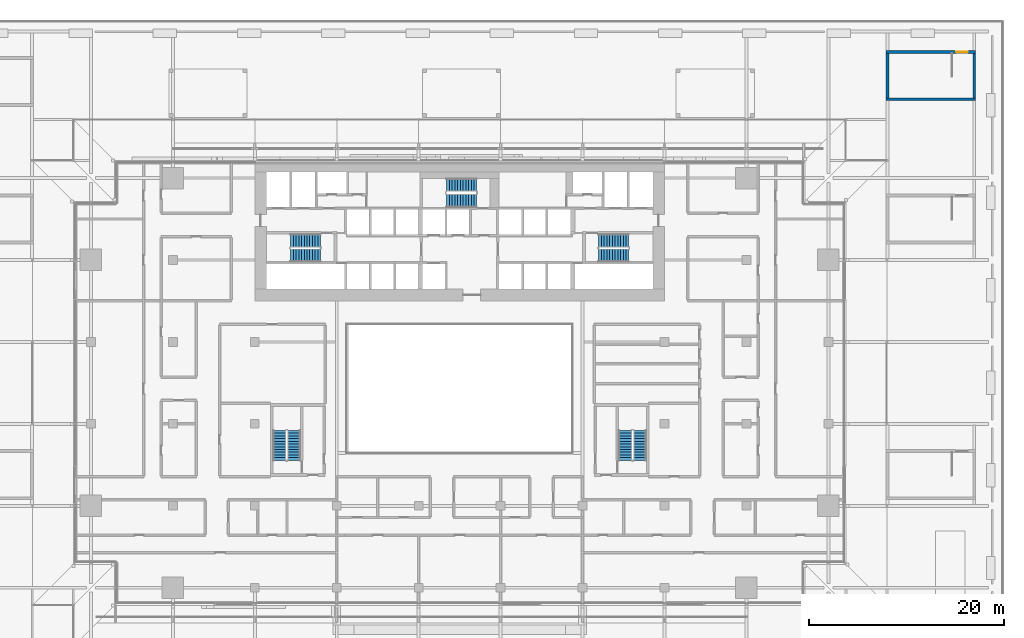
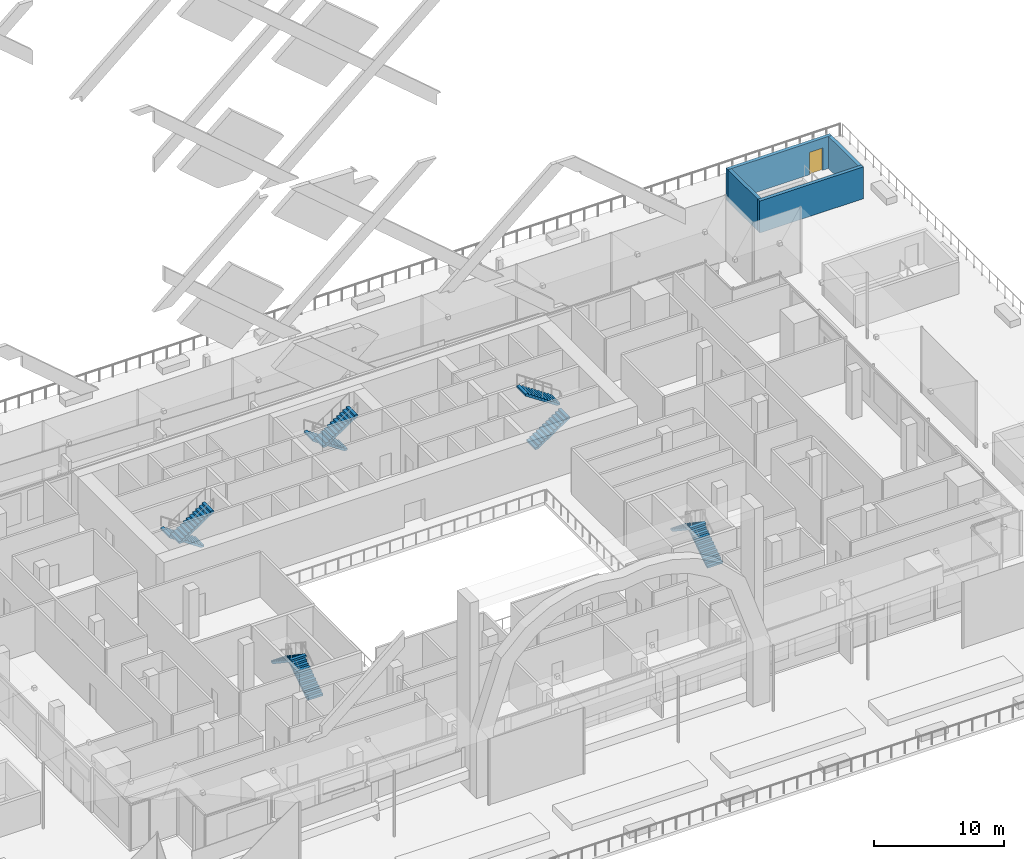
# One storey, part 31 of 60: 10 stair flights, 4 walls, 1 door, 1 opening, 5 elements without a shape of their own.
"""IFC4 building model written with IfcOpenShell, lengths in metres."""

from ifc_helpers import new_model, si_unit, direction, frame, frame_2d, origin, place, context, subcontext, project, spatial, polyline, rectangle, outline, extrude, material, layer, layer_set, type_object, element, fill, aggregate, save


model = new_model("IFC4")

# Units and contexts
model_context = context("Model", 3, precision=1e-05, world=origin(), true_north=direction((0.0, 1.0)))
body_context = subcontext(model_context, "Body", "Model", "MODEL_VIEW")
ifc_project = project(units=[si_unit("LENGTHUNIT", "METRE"), si_unit("AREAUNIT", "SQUARE_METRE"), si_unit("VOLUMEUNIT", "CUBIC_METRE"), si_unit("PLANEANGLEUNIT", "RADIAN"), si_unit("MASSUNIT", "GRAM", prefix="KILO")], contexts=[model_context])

# Site, building, storey
site_placement = place(None, origin())
site = spatial("IfcSite", under=ifc_project, at=site_placement, CompositionType="ELEMENT")
building_placement = place(site_placement, origin())
building = spatial("IfcBuilding", under=site, at=building_placement, Name="Saffron Gate Tower", CompositionType="ELEMENT")
storey_placement = place(building_placement, frame((0.0, 0.0, 19.199951171875)))
storey = spatial("IfcBuildingStorey", under=building, at=storey_placement, Name="L03", CompositionType="ELEMENT", Elevation=19.199951171875)

# Walls
ifc_material_1 = material(Name="Concrete C70", Category="concrete")
ifc_layer = layer(ifc_material_1, 0.300048828125)
ifc_layer_set = layer_set([ifc_layer], Name="CW5 RC core wall 300 C70")
wall_type = type_object("IfcWallType", Name="CW5 RC core wall 300 C70", PredefinedType="SOLIDWALL", material=ifc_layer_set)
wall_1_placement = place(storey_placement, frame((131.300048828125, 81.875, 0.0), z_axis=(0.0, 0.0, 1.0), x_axis=(1.0, 0.0, 0.0)))
element("IfcWall", 1, at=wall_1_placement, inside=storey, type_object=wall_type, Name="Wall CW5-L03-I-1", PredefinedType="SOLIDWALL", context=body_context, shape_type="SweptSolid", body=[
    extrude(rectangle(XDim=9.199951171875, YDim=0.300048828125, at=frame_2d((4.60009765625, 0.0))), origin(), (0.0, 0.0, 1.0), 3.0),
])
for number, where, z_axis, x_axis, name in (
    (2, (131.449951171875, 82.02490234375, 0.0), (0.0, 0.0, 1.0), (0.0, 1.0, 0.0), "Wall CW5-L03-I-2"),
    (3, (140.35009765625, 82.02490234375, 0.0), (0.0, 0.0, 1.0), (0.0, 1.0, 0.0), "Wall CW5-L03-I-3"),
):
    element("IfcWall", number, at=place(storey_placement, frame(where, z_axis=z_axis, x_axis=x_axis)), inside=storey, type_object=wall_type, Name=name, PredefinedType="SOLIDWALL", context=body_context, shape_type="SweptSolid", body=[
        extrude(rectangle(XDim=4.550048828125, YDim=0.300048828125, at=frame_2d((2.27490234375, 0.0))), origin(), (0.0, 0.0, 1.0), 3.0),
    ])

# Wall, opening, door
wall_2_placement = place(storey_placement, frame((131.300048828125, 86.72509765625, 0.0), z_axis=(0.0, 0.0, 1.0), x_axis=(1.0, 0.0, 0.0)))
wall_2 = element("IfcWall", 4, at=wall_2_placement, inside=storey, type_object=wall_type, Name="Wall CW5-L03-I-4", PredefinedType="SOLIDWALL", context=body_context, shape_type="SweptSolid", body=[
    extrude(rectangle(XDim=9.199951171875, YDim=0.300048828125, at=frame_2d((4.60009765625, 0.0))), origin(), (0.0, 0.0, 1.0), 3.0),
])
opening_placement = place(wall_2_placement, frame((7.199951171875, 0.0, 0.0)))
opening = element("IfcOpeningElement", 5, at=opening_placement, cuts=wall_2, Name="Opening CR-34", PredefinedType="OPENING", context=body_context, shape_type="SweptSolid", body=[
    extrude(rectangle(XDim=1.199951171875, YDim=2.10009765625, at=frame_2d((0.60009765625, 1.050048828125))), frame((0.0, 0.16015625, 0.0), z_axis=(0.0, -1.0, 0.0), x_axis=(1.0, 0.0, 0.0)), (0.0, 0.0, 1.0), 0.320068359375),
])
ifc_material_2 = material(Name="Steel fire door set", Category="steel")
door_type = type_object("IfcDoorType", Name="CD12 Stair door 1200x2100 EI 120", OperationType="NOTDEFINED", PredefinedType="DOOR", material=ifc_material_2)
door_placement = place(opening_placement, origin())
door = element("IfcDoor", 6, at=door_placement, inside=storey, type_object=door_type, Name="DOOR CR-34", OperationType="SINGLE_SWING_LEFT", OverallHeight=2.10009765625, OverallWidth=1.199951171875, PredefinedType="DOOR", context=body_context, shape_type="SweptSolid", body=[
    extrude(rectangle(XDim=1.199951171875, YDim=2.10009765625, at=frame_2d((0.60009765625, 1.050048828125))), frame((0.0, 0.02490234375, 0.0), z_axis=(0.0, -1.0, 0.0), x_axis=(1.0, 0.0, 0.0)), (0.0, 0.0, 1.0), 0.050048828125),
])
fill(opening, door)

# Stair, stair flights
ifc_material_3 = material(Name="Concrete C40", Category="concrete")
stair_type = type_object("IfcStairType", Name="ST6 Stair 1350 wide, 24 risers of 188", PredefinedType="HALF_TURN_STAIR", material=ifc_material_3)
stair_1_placement = place(storey_placement, origin())
stair_1 = element("IfcStair", 7, at=stair_1_placement, inside=storey, type_object=stair_type, Name="L03 Exit stair A", PredefinedType="HALF_TURN_STAIR")
stair_flight_type = type_object("IfcStairFlightType", Name="SF2 Stair flight 1350 wide, riser 188 going 280", PredefinedType="STRAIGHT", material=ifc_material_3)
stair_flight_1_placement = place(storey_placement, frame((73.35009765625, 67.375, 0.0), z_axis=(0.0, 0.0, 1.0), x_axis=(-1.0, 0.0, 0.0)))
stair_flight_1 = element("IfcStairFlight", 8, at=stair_flight_1_placement, type_object=stair_flight_type, Name="ST-A flight 1", NumberOfRisers=12, NumberOfTreads=11, PredefinedType="STRAIGHT", RiserHeight=0.1875, TreadLength=0.28, context=body_context, shape_type="SweptSolid", body=[
    extrude(outline(polyline([(0.0, 0.0), (0.0, 0.1875), (0.280029296875, 0.1875), (0.280029296875, 0.375), (0.56005859375, 0.375), (0.56005859375, 0.5625), (0.840087890625, 0.5625), (0.840087890625, 0.75), (1.1201171875, 0.75), (1.1201171875, 0.9375), (1.39990234375, 0.9375), (1.39990234375, 1.125), (1.679931640625, 1.125), (1.679931640625, 1.3125), (1.9599609375, 1.3125), (1.9599609375, 1.5), (2.239990234375, 1.5), (2.239990234375, 1.6875), (2.52001953125, 1.6875), (2.52001953125, 1.875), (2.800048828125, 1.875), (2.800048828125, 2.0625), (3.080078125, 2.0625), (3.080078125, 2.25), (3.080078125, 1.882080078125), (0.26953125, 0.0), (0.0, 0.0)])), frame((0.0, 0.675048828125, 0.0), z_axis=(0.0, -1.0, 0.0), x_axis=(1.0, 0.0, 0.0)), (0.0, 0.0, 1.0), 1.35009765625),
])
stair_flight_2_placement = place(storey_placement, frame((70.27001953125, 65.875, 2.25), z_axis=(0.0, 0.0, 1.0), x_axis=(1.0, 0.0, 0.0)))
stair_flight_2 = element("IfcStairFlight", 9, at=stair_flight_2_placement, type_object=stair_flight_type, Name="ST-A flight 2", NumberOfRisers=12, NumberOfTreads=11, PredefinedType="STRAIGHT", RiserHeight=0.1875, TreadLength=0.28, context=body_context, shape_type="SweptSolid", body=[
    extrude(outline(polyline([(0.0, 0.0), (0.0, 0.1875), (0.280029296875, 0.1875), (0.280029296875, 0.375), (0.56005859375, 0.375), (0.56005859375, 0.5625), (0.840087890625, 0.5625), (0.840087890625, 0.75), (1.1201171875, 0.75), (1.1201171875, 0.9375), (1.39990234375, 0.9375), (1.39990234375, 1.125), (1.679931640625, 1.125), (1.679931640625, 1.3125), (1.9599609375, 1.3125), (1.9599609375, 1.5), (2.239990234375, 1.5), (2.239990234375, 1.6875), (2.52001953125, 1.6875), (2.52001953125, 1.875), (2.800048828125, 1.875), (2.800048828125, 2.0625), (3.080078125, 2.0625), (3.080078125, 2.25), (3.080078125, 1.882080078125), (0.26953125, 0.0), (0.0, 0.0)])), frame((0.0, 0.675048828125, 0.0), z_axis=(0.0, -1.0, 0.0), x_axis=(1.0, 0.0, 0.0)), (0.0, 0.0, 1.0), 1.35009765625),
])
aggregate(stair_1, [stair_flight_1, stair_flight_2])

stair_2_placement = place(storey_placement, origin())
stair_2 = element("IfcStair", 10, at=stair_2_placement, inside=storey, type_object=stair_type, Name="L03 Exit stair B", PredefinedType="HALF_TURN_STAIR")
stair_flight_3_placement = place(storey_placement, frame((101.85009765625, 65.875, 0.0), z_axis=(0.0, 0.0, 1.0), x_axis=(1.0, 0.0, 0.0)))
stair_flight_3 = element("IfcStairFlight", 11, at=stair_flight_3_placement, type_object=stair_flight_type, Name="ST-B flight 1", NumberOfRisers=12, NumberOfTreads=11, PredefinedType="STRAIGHT", RiserHeight=0.1875, TreadLength=0.28, context=body_context, shape_type="SweptSolid", body=[
    extrude(outline(polyline([(0.0, 0.0), (0.0, 0.1875), (0.280029296875, 0.1875), (0.280029296875, 0.375), (0.56005859375, 0.375), (0.56005859375, 0.5625), (0.840087890625, 0.5625), (0.840087890625, 0.75), (1.1201171875, 0.75), (1.1201171875, 0.9375), (1.39990234375, 0.9375), (1.39990234375, 1.125), (1.679931640625, 1.125), (1.679931640625, 1.3125), (1.9599609375, 1.3125), (1.9599609375, 1.5), (2.239990234375, 1.5), (2.239990234375, 1.6875), (2.52001953125, 1.6875), (2.52001953125, 1.875), (2.800048828125, 1.875), (2.800048828125, 2.0625), (3.080078125, 2.0625), (3.080078125, 2.25), (3.080078125, 1.882080078125), (0.26953125, 0.0), (0.0, 0.0)])), frame((0.0, 0.675048828125, 0.0), z_axis=(0.0, -1.0, 0.0), x_axis=(1.0, 0.0, 0.0)), (0.0, 0.0, 1.0), 1.35009765625),
])
stair_flight_4_placement = place(storey_placement, frame((104.929931640625, 67.375, 2.25), z_axis=(0.0, 0.0, 1.0), x_axis=(-1.0, 0.0, 0.0)))
stair_flight_4 = element("IfcStairFlight", 12, at=stair_flight_4_placement, type_object=stair_flight_type, Name="ST-B flight 2", NumberOfRisers=12, NumberOfTreads=11, PredefinedType="STRAIGHT", RiserHeight=0.1875, TreadLength=0.28, context=body_context, shape_type="SweptSolid", body=[
    extrude(outline(polyline([(0.0, 0.0), (0.0, 0.1875), (0.280029296875, 0.1875), (0.280029296875, 0.375), (0.56005859375, 0.375), (0.56005859375, 0.5625), (0.840087890625, 0.5625), (0.840087890625, 0.75), (1.1201171875, 0.75), (1.1201171875, 0.9375), (1.39990234375, 0.9375), (1.39990234375, 1.125), (1.679931640625, 1.125), (1.679931640625, 1.3125), (1.9599609375, 1.3125), (1.9599609375, 1.5), (2.239990234375, 1.5), (2.239990234375, 1.6875), (2.52001953125, 1.6875), (2.52001953125, 1.875), (2.800048828125, 1.875), (2.800048828125, 2.0625), (3.080078125, 2.0625), (3.080078125, 2.25), (3.080078125, 1.882080078125), (0.26953125, 0.0), (0.0, 0.0)])), frame((0.0, 0.675048828125, 0.0), z_axis=(0.0, -1.0, 0.0), x_axis=(1.0, 0.0, 0.0)), (0.0, 0.0, 1.0), 1.35009765625),
])
aggregate(stair_2, [stair_flight_3, stair_flight_4])

stair_3_placement = place(storey_placement, origin())
stair_3 = element("IfcStair", 13, at=stair_3_placement, inside=storey, type_object=stair_type, Name="L03 Exit stair C", PredefinedType="HALF_TURN_STAIR")
stair_flight_5_placement = place(storey_placement, frame((89.35009765625, 73.074951171875, 0.0), z_axis=(0.0, 0.0, 1.0), x_axis=(-1.0, 0.0, 0.0)))
stair_flight_5 = element("IfcStairFlight", 14, at=stair_flight_5_placement, type_object=stair_flight_type, Name="ST-C flight 1", NumberOfRisers=12, NumberOfTreads=11, PredefinedType="STRAIGHT", RiserHeight=0.1875, TreadLength=0.28, context=body_context, shape_type="SweptSolid", body=[
    extrude(outline(polyline([(0.0, 0.0), (0.0, 0.1875), (0.280029296875, 0.1875), (0.280029296875, 0.375), (0.56005859375, 0.375), (0.56005859375, 0.5625), (0.840087890625, 0.5625), (0.840087890625, 0.75), (1.1201171875, 0.75), (1.1201171875, 0.9375), (1.39990234375, 0.9375), (1.39990234375, 1.125), (1.679931640625, 1.125), (1.679931640625, 1.3125), (1.9599609375, 1.3125), (1.9599609375, 1.5), (2.239990234375, 1.5), (2.239990234375, 1.6875), (2.52001953125, 1.6875), (2.52001953125, 1.875), (2.800048828125, 1.875), (2.800048828125, 2.0625), (3.080078125, 2.0625), (3.080078125, 2.25), (3.080078125, 1.882080078125), (0.26953125, 0.0), (0.0, 0.0)])), frame((0.0, 0.675048828125, 0.0), z_axis=(0.0, -1.0, 0.0), x_axis=(1.0, 0.0, 0.0)), (0.0, 0.0, 1.0), 1.35009765625),
])
stair_flight_6_placement = place(storey_placement, frame((86.27001953125, 71.47509765625, 2.25), z_axis=(0.0, 0.0, 1.0), x_axis=(1.0, 0.0, 0.0)))
stair_flight_6 = element("IfcStairFlight", 15, at=stair_flight_6_placement, type_object=stair_flight_type, Name="ST-C flight 2", NumberOfRisers=12, NumberOfTreads=11, PredefinedType="STRAIGHT", RiserHeight=0.1875, TreadLength=0.28, context=body_context, shape_type="SweptSolid", body=[
    extrude(outline(polyline([(0.0, 0.0), (0.0, 0.1875), (0.280029296875, 0.1875), (0.280029296875, 0.375), (0.56005859375, 0.375), (0.56005859375, 0.5625), (0.840087890625, 0.5625), (0.840087890625, 0.75), (1.1201171875, 0.75), (1.1201171875, 0.9375), (1.39990234375, 0.9375), (1.39990234375, 1.125), (1.679931640625, 1.125), (1.679931640625, 1.3125), (1.9599609375, 1.3125), (1.9599609375, 1.5), (2.239990234375, 1.5), (2.239990234375, 1.6875), (2.52001953125, 1.6875), (2.52001953125, 1.875), (2.800048828125, 1.875), (2.800048828125, 2.0625), (3.080078125, 2.0625), (3.080078125, 2.25), (3.080078125, 1.882080078125), (0.26953125, 0.0), (0.0, 0.0)])), frame((0.0, 0.675048828125, 0.0), z_axis=(0.0, -1.0, 0.0), x_axis=(1.0, 0.0, 0.0)), (0.0, 0.0, 1.0), 1.35009765625),
])
aggregate(stair_3, [stair_flight_5, stair_flight_6])

stair_4_placement = place(storey_placement, origin())
stair_4 = element("IfcStair", 16, at=stair_4_placement, inside=storey, type_object=stair_type, Name="L03 Exit stair D", PredefinedType="HALF_TURN_STAIR")
stair_flight_7_placement = place(storey_placement, frame((70.625, 44.85009765625, 0.0), z_axis=(0.0, 0.0, 1.0), x_axis=(0.0, 1.0, 0.0)))
stair_flight_7 = element("IfcStairFlight", 17, at=stair_flight_7_placement, type_object=stair_flight_type, Name="ST-D flight 1", NumberOfRisers=12, NumberOfTreads=11, PredefinedType="STRAIGHT", RiserHeight=0.1875, TreadLength=0.28, context=body_context, shape_type="SweptSolid", body=[
    extrude(outline(polyline([(0.0, 0.0), (0.0, 0.1875), (0.280029296875, 0.1875), (0.280029296875, 0.375), (0.56005859375, 0.375), (0.56005859375, 0.5625), (0.840087890625, 0.5625), (0.840087890625, 0.75), (1.1201171875, 0.75), (1.1201171875, 0.9375), (1.39990234375, 0.9375), (1.39990234375, 1.125), (1.679931640625, 1.125), (1.679931640625, 1.3125), (1.9599609375, 1.3125), (1.9599609375, 1.5), (2.239990234375, 1.5), (2.239990234375, 1.6875), (2.52001953125, 1.6875), (2.52001953125, 1.875), (2.800048828125, 1.875), (2.800048828125, 2.0625), (3.080078125, 2.0625), (3.080078125, 2.25), (3.080078125, 1.882080078125), (0.26953125, 0.0), (0.0, 0.0)])), frame((0.0, 0.675048828125, 0.0), z_axis=(0.0, -1.0, 0.0), x_axis=(1.0, 0.0, 0.0)), (0.0, 0.0, 1.0), 1.35009765625),
])
stair_flight_8_placement = place(storey_placement, frame((69.125, 47.929931640625, 2.25), z_axis=(0.0, 0.0, 1.0), x_axis=(0.0, -1.0, 0.0)))
stair_flight_8 = element("IfcStairFlight", 18, at=stair_flight_8_placement, type_object=stair_flight_type, Name="ST-D flight 2", NumberOfRisers=12, NumberOfTreads=11, PredefinedType="STRAIGHT", RiserHeight=0.1875, TreadLength=0.28, context=body_context, shape_type="SweptSolid", body=[
    extrude(outline(polyline([(0.0, 0.0), (0.0, 0.1875), (0.280029296875, 0.1875), (0.280029296875, 0.375), (0.56005859375, 0.375), (0.56005859375, 0.5625), (0.840087890625, 0.5625), (0.840087890625, 0.75), (1.1201171875, 0.75), (1.1201171875, 0.9375), (1.39990234375, 0.9375), (1.39990234375, 1.125), (1.679931640625, 1.125), (1.679931640625, 1.3125), (1.9599609375, 1.3125), (1.9599609375, 1.5), (2.239990234375, 1.5), (2.239990234375, 1.6875), (2.52001953125, 1.6875), (2.52001953125, 1.875), (2.800048828125, 1.875), (2.800048828125, 2.0625), (3.080078125, 2.0625), (3.080078125, 2.25), (3.080078125, 1.882080078125), (0.26953125, 0.0), (0.0, 0.0)])), frame((0.0, 0.675048828125, 0.0), z_axis=(0.0, -1.0, 0.0), x_axis=(1.0, 0.0, 0.0)), (0.0, 0.0, 1.0), 1.35009765625),
])
aggregate(stair_4, [stair_flight_7, stair_flight_8])

stair_5_placement = place(storey_placement, origin())
stair_5 = element("IfcStair", 19, at=stair_5_placement, inside=storey, type_object=stair_type, Name="L03 Exit stair E", PredefinedType="HALF_TURN_STAIR")
stair_flight_9_placement = place(storey_placement, frame((106.074951171875, 44.85009765625, 0.0), z_axis=(0.0, 0.0, 1.0), x_axis=(0.0, 1.0, 0.0)))
stair_flight_9 = element("IfcStairFlight", 20, at=stair_flight_9_placement, type_object=stair_flight_type, Name="ST-E flight 1", NumberOfRisers=12, NumberOfTreads=11, PredefinedType="STRAIGHT", RiserHeight=0.1875, TreadLength=0.28, context=body_context, shape_type="SweptSolid", body=[
    extrude(outline(polyline([(0.0, 0.0), (0.0, 0.1875), (0.280029296875, 0.1875), (0.280029296875, 0.375), (0.56005859375, 0.375), (0.56005859375, 0.5625), (0.840087890625, 0.5625), (0.840087890625, 0.75), (1.1201171875, 0.75), (1.1201171875, 0.9375), (1.39990234375, 0.9375), (1.39990234375, 1.125), (1.679931640625, 1.125), (1.679931640625, 1.3125), (1.9599609375, 1.3125), (1.9599609375, 1.5), (2.239990234375, 1.5), (2.239990234375, 1.6875), (2.52001953125, 1.6875), (2.52001953125, 1.875), (2.800048828125, 1.875), (2.800048828125, 2.0625), (3.080078125, 2.0625), (3.080078125, 2.25), (3.080078125, 1.882080078125), (0.26953125, 0.0), (0.0, 0.0)])), frame((0.0, 0.675048828125, 0.0), z_axis=(0.0, -1.0, 0.0), x_axis=(1.0, 0.0, 0.0)), (0.0, 0.0, 1.0), 1.35009765625),
])
stair_flight_10_placement = place(storey_placement, frame((104.574951171875, 47.929931640625, 2.25), z_axis=(0.0, 0.0, 1.0), x_axis=(0.0, -1.0, 0.0)))
stair_flight_10 = element("IfcStairFlight", 21, at=stair_flight_10_placement, type_object=stair_flight_type, Name="ST-E flight 2", NumberOfRisers=12, NumberOfTreads=11, PredefinedType="STRAIGHT", RiserHeight=0.1875, TreadLength=0.28, context=body_context, shape_type="SweptSolid", body=[
    extrude(outline(polyline([(0.0, 0.0), (0.0, 0.1875), (0.280029296875, 0.1875), (0.280029296875, 0.375), (0.56005859375, 0.375), (0.56005859375, 0.5625), (0.840087890625, 0.5625), (0.840087890625, 0.75), (1.1201171875, 0.75), (1.1201171875, 0.9375), (1.39990234375, 0.9375), (1.39990234375, 1.125), (1.679931640625, 1.125), (1.679931640625, 1.3125), (1.9599609375, 1.3125), (1.9599609375, 1.5), (2.239990234375, 1.5), (2.239990234375, 1.6875), (2.52001953125, 1.6875), (2.52001953125, 1.875), (2.800048828125, 1.875), (2.800048828125, 2.0625), (3.080078125, 2.0625), (3.080078125, 2.25), (3.080078125, 1.882080078125), (0.26953125, 0.0), (0.0, 0.0)])), frame((0.0, 0.675048828125, 0.0), z_axis=(0.0, -1.0, 0.0), x_axis=(1.0, 0.0, 0.0)), (0.0, 0.0, 1.0), 1.35009765625),
])
aggregate(stair_5, [stair_flight_9, stair_flight_10])

save(model, "model.ifc")
